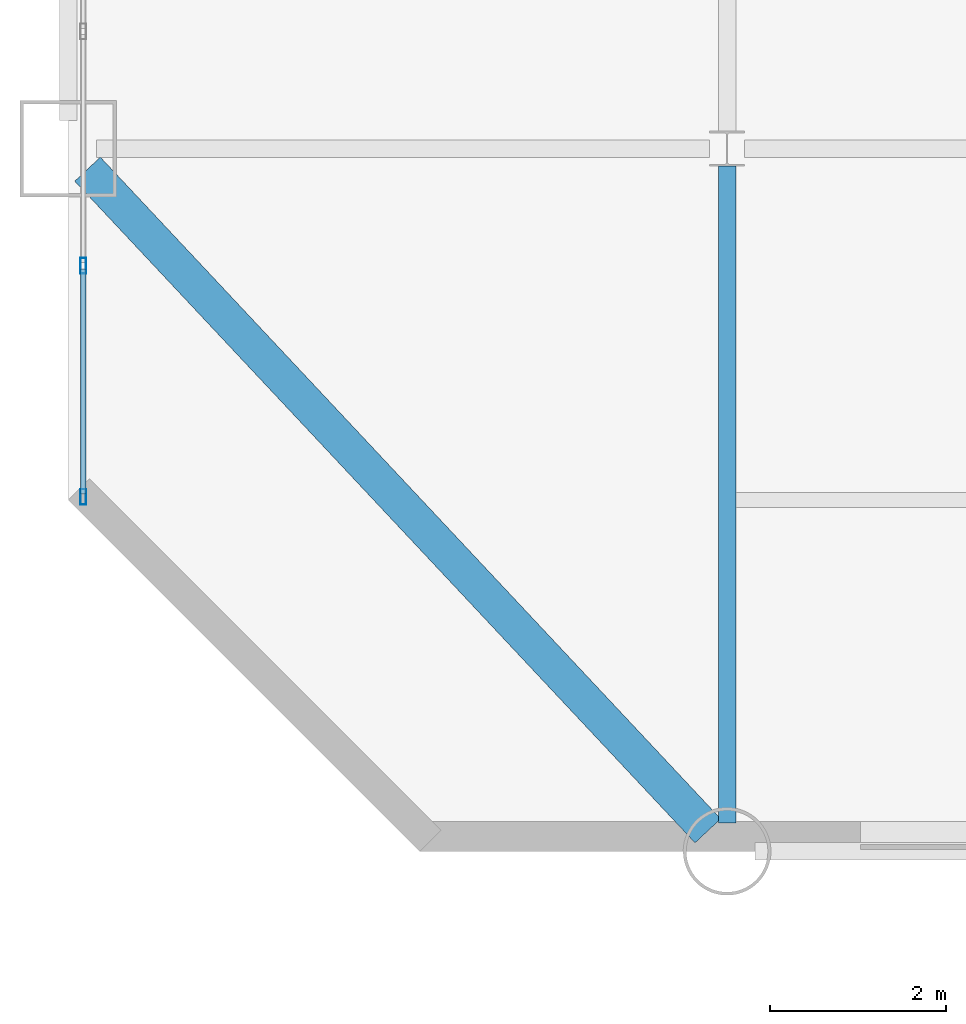
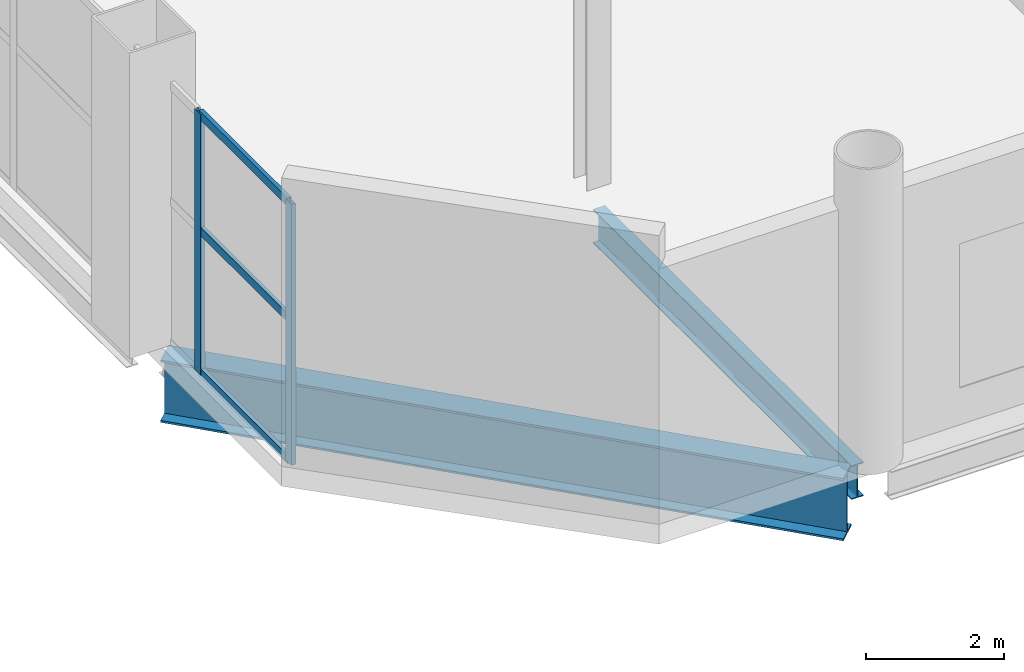
# One storey, part 5 of 24: 5 members, 2 beams, 1 element without a shape of its own.
"""IFC4 building model written with IfcOpenShell, lengths in metres."""

from ifc_helpers import new_model, si_unit, direction, frame, origin, origin_2d, place, context, subcontext, project, spatial, hollow_rectangle, i_section, extrude, material, layer, layer_set, material_profile, profile_set, type_object, element, aggregate, save


model = new_model("IFC4")

# Units and contexts
model_context = context("Model", 3, precision=1e-05, world=origin(), true_north=direction((0.0, 1.0)))
body_context = subcontext(model_context, "Body", "Model", "MODEL_VIEW")
ifc_project = project(units=[si_unit("LENGTHUNIT", "METRE"), si_unit("AREAUNIT", "SQUARE_METRE"), si_unit("VOLUMEUNIT", "CUBIC_METRE"), si_unit("PLANEANGLEUNIT", "RADIAN"), si_unit("MASSUNIT", "GRAM", prefix="KILO")], contexts=[model_context])

# Site, building, storey
site_placement = place(None, origin())
site = spatial("IfcSite", under=ifc_project, at=site_placement, CompositionType="ELEMENT")
building_placement = place(site_placement, origin())
building = spatial("IfcBuilding", under=site, at=building_placement, Name="Qianrong Seaharbour Tower", CompositionType="ELEMENT")
storey_placement = place(building_placement, frame((0.0, 0.0, 195.0)))
storey = spatial("IfcBuildingStorey", under=building, at=storey_placement, Name="L47", CompositionType="ELEMENT", Elevation=195.0)

# Beams
ifc_material_1 = material(Name="Structural steel SN490B", Category="steel")
ifc_material_profile_1 = material_profile(ifc_material_1, i_section(OverallWidth=0.199951171875, OverallDepth=0.60009765625, WebThickness=0.010986328125, FlangeThickness=0.01708984375, FilletRadius=0.02197265625, at=origin_2d()), Name="H600x200x11x17")
ifc_profile_set_1 = profile_set([ifc_material_profile_1], Name="Structural steel SN490B")
beam_type_1 = type_object("IfcBeamType", Name="BM-G-600", PredefinedType="BEAM", material=ifc_profile_set_1)
beam_1_placement = place(storey_placement, frame((16.5, 28.320068359375, -0.64990234375), z_axis=(0.0, 1.0, 0.0), x_axis=(-1.0, 0.0, 0.0)))
element("IfcBeam", 1, at=beam_1_placement, inside=storey, type_object=beam_type_1, Name="L47 Primary Girder G3 GE-GF", PredefinedType="BEAM", context=body_context, shape_type="SweptSolid", body=[
    extrude(i_section(OverallWidth=0.199951171875, OverallDepth=0.60009765625, WebThickness=0.010986328125, FlangeThickness=0.01708984375, FilletRadius=0.02197265625, at=origin_2d()), origin(), (0.0, 0.0, 1.0), 7.47998046875),
])
ifc_material_profile_2 = material_profile(ifc_material_1, i_section(OverallWidth=0.39990234375, OverallDepth=1.10009765625, WebThickness=0.02001953125, FlangeThickness=0.035888671875, at=origin_2d()), Name="BH1100x400x20x36")
ifc_profile_set_2 = profile_set([ifc_material_profile_2], Name="Structural steel SN490B")
beam_type_2 = type_object("IfcBeamType", Name="BM-TG-1100", PredefinedType="BEAM", material=ifc_profile_set_2)
beam_2_placement = place(storey_placement, frame((16.28125, 28.2333984375, -0.89990234375), z_axis=(-0.683947420573, 0.729531305628, 0.0), x_axis=(-0.729531305628, -0.683947420573, 0.0)))
element("IfcBeam", 2, at=beam_2_placement, inside=storey, type_object=beam_type_2, Name="L47 Chamfer Corner Spandrel Girder G2/GE", PredefinedType="BEAM", context=body_context, shape_type="SweptSolid", body=[
    extrude(i_section(OverallWidth=0.39990234375, OverallDepth=1.10009765625, WebThickness=0.02001953125, FlangeThickness=0.035888671875, at=origin_2d()), origin(), (0.0, 0.0, 1.0), 10.326171875),
])

# Curtain wall, members
ifc_material_2 = material(Name="Anodised aluminium 6063-T6 and laminated low-e glass", Category="aluminium")
ifc_layer = layer(ifc_material_2, 0.18505859375)
ifc_layer_set = layer_set([ifc_layer], Name="Anodised aluminium 6063-T6 and laminated low-e glass")
curtain_wall_type = type_object("IfcCurtainWallType", Name="CW-SYS-4", PredefinedType="NOTDEFINED", material=ifc_layer_set)
curtain_wall_placement = place(storey_placement, origin())
curtain_wall = element("IfcCurtainWall", 3, at=curtain_wall_placement, inside=storey, type_object=curtain_wall_type, Name="L47 Refuge Acoustic Louvre Curtain Wall WEST_TIP", PredefinedType="NOTDEFINED")
ifc_material_3 = material(Name="Extruded aluminium 6063-T6", Category="aluminium")
ifc_material_profile_3 = material_profile(ifc_material_3, hollow_rectangle(XDim=0.070068359375, YDim=0.179931640625, WallThickness=0.00390625, at=origin_2d()), Name="ALU-MUL-180x70x4")
ifc_profile_set_3 = profile_set([ifc_material_profile_3], Name="Extruded aluminium 6063-T6")
member_type_1 = type_object("IfcMemberType", Name="CW-MUL-180", PredefinedType="MULLION", material=ifc_profile_set_3)
member_1_placement = place(storey_placement, frame((9.169921875, 32.034912109375, 0.0), z_axis=(0.0, 0.0, 1.0), x_axis=(-1.0, 0.0, 0.0)))
member_1 = element("IfcMember", 4, at=member_1_placement, type_object=member_type_1, Name="CW-4 mullion 1", PredefinedType="MULLION", context=body_context, shape_type="SweptSolid", body=[
    extrude(hollow_rectangle(XDim=0.070068359375, YDim=0.179931640625, WallThickness=0.00390625, at=origin_2d()), origin(), (0.0, 0.0, 1.0), 4.610107421875),
])
member_2_placement = place(storey_placement, frame((9.169921875, 34.666748046875, 0.0), z_axis=(0.0, 0.0, 1.0), x_axis=(-1.0, 0.0, 0.0)))
member_2 = element("IfcMember", 5, at=member_2_placement, type_object=member_type_1, Name="CW-4 mullion 2", PredefinedType="MULLION", context=body_context, shape_type="SweptSolid", body=[
    extrude(hollow_rectangle(XDim=0.070068359375, YDim=0.179931640625, WallThickness=0.00390625, at=origin_2d()), origin(), (0.0, 0.0, 1.0), 4.610107421875),
])
ifc_material_profile_4 = material_profile(ifc_material_3, hollow_rectangle(XDim=0.06494140625, YDim=0.14990234375, WallThickness=0.00390625, at=origin_2d()), Name="ALU-TRN-150x65x4")
ifc_profile_set_4 = profile_set([ifc_material_profile_4], Name="Extruded aluminium 6063-T6")
member_type_2 = type_object("IfcMemberType", Name="CW-TRN-150", PredefinedType="USERDEFINED", material=ifc_profile_set_4)
member_3_placement = place(storey_placement, frame((9.169921875, 32.070068359375, 0.032470703125), z_axis=(0.0, 1.0, 0.0), x_axis=(-1.0, 0.0, 0.0)))
member_3 = element("IfcMember", 6, at=member_3_placement, type_object=member_type_2, Name="CW-4 transom 1.1", ObjectType="TRANSOM", PredefinedType="USERDEFINED", context=body_context, shape_type="SweptSolid", body=[
    extrude(hollow_rectangle(XDim=0.06494140625, YDim=0.14990234375, WallThickness=0.00390625, at=origin_2d()), origin(), (0.0, 0.0, 1.0), 2.5615234375),
])
member_4_placement = place(storey_placement, frame((9.169921875, 32.070068359375, 2.535400390625), z_axis=(0.0, 1.0, 0.0), x_axis=(-1.0, 0.0, 0.0)))
member_4 = element("IfcMember", 7, at=member_4_placement, type_object=member_type_2, Name="CW-4 transom 1.2", ObjectType="TRANSOM", PredefinedType="USERDEFINED", context=body_context, shape_type="SweptSolid", body=[
    extrude(hollow_rectangle(XDim=0.06494140625, YDim=0.14990234375, WallThickness=0.00390625, at=origin_2d()), origin(), (0.0, 0.0, 1.0), 2.5615234375),
])
member_5_placement = place(storey_placement, frame((9.169921875, 32.070068359375, 4.577392578125), z_axis=(0.0, 1.0, 0.0), x_axis=(-1.0, 0.0, 0.0)))
member_5 = element("IfcMember", 8, at=member_5_placement, type_object=member_type_2, Name="CW-4 transom 1.3", ObjectType="TRANSOM", PredefinedType="USERDEFINED", context=body_context, shape_type="SweptSolid", body=[
    extrude(hollow_rectangle(XDim=0.06494140625, YDim=0.14990234375, WallThickness=0.00390625, at=origin_2d()), origin(), (0.0, 0.0, 1.0), 2.5615234375),
])
aggregate(curtain_wall, [member_1, member_2, member_3, member_4, member_5])

save(model, "model.ifc")
